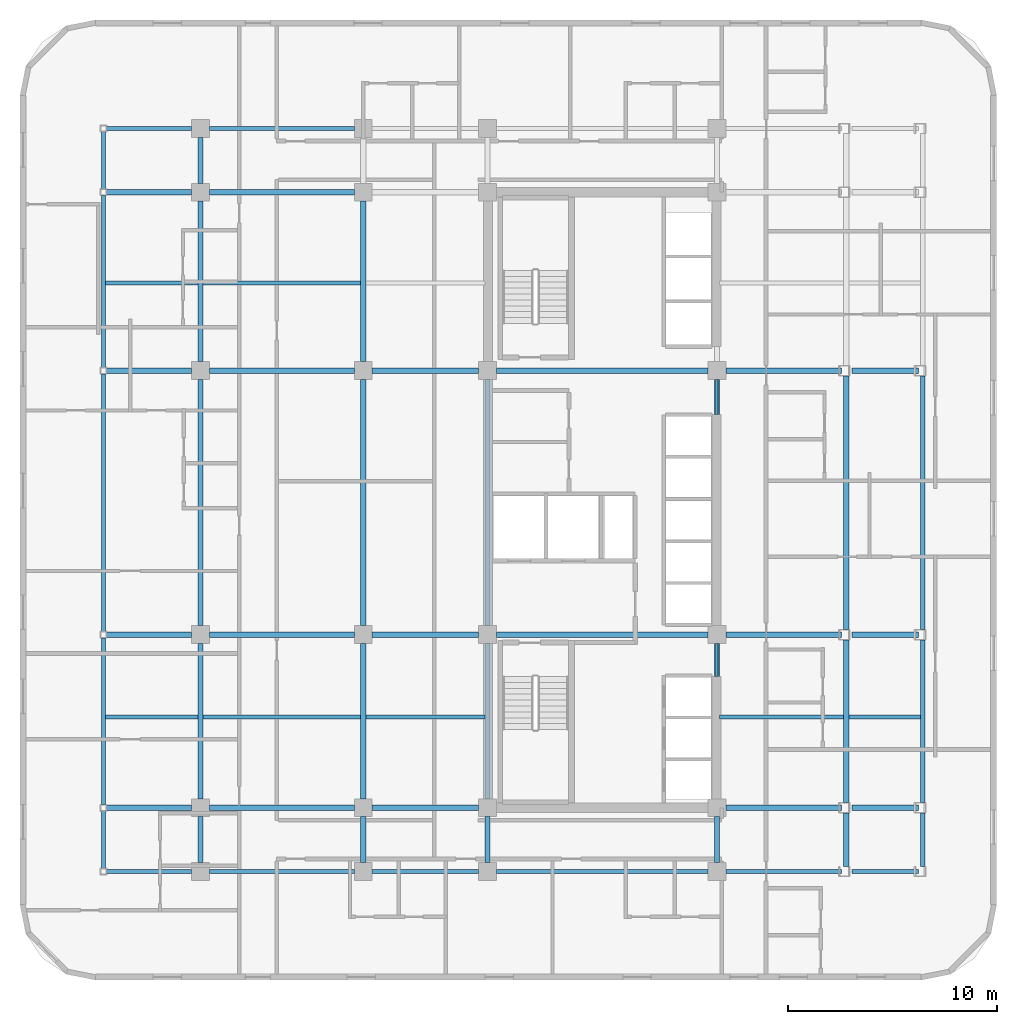
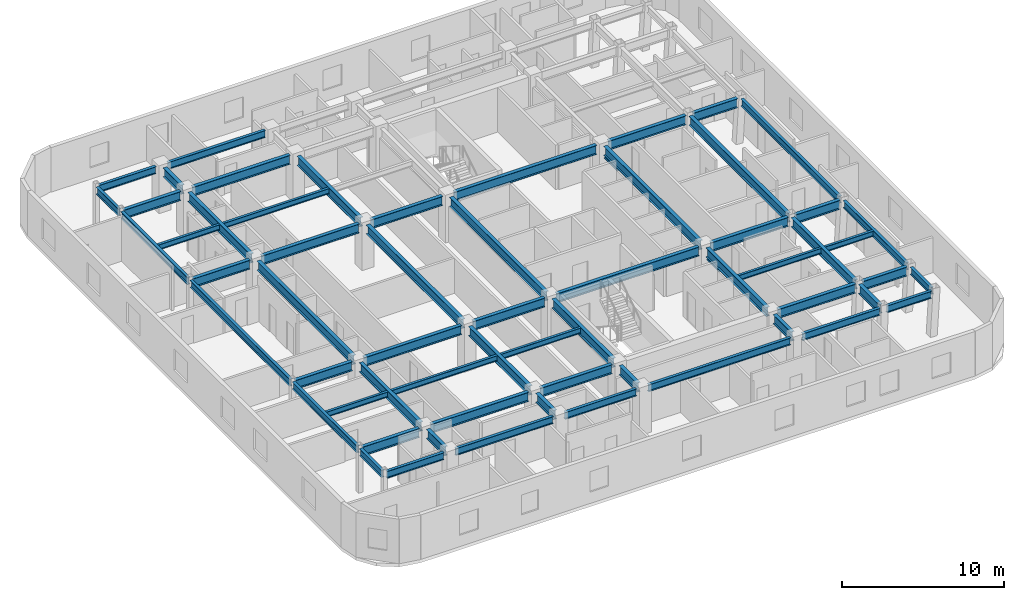
# One storey, part 4 of 12: 62 beams.
"""IFC4 building model written with IfcOpenShell, lengths in metres."""

from ifc_helpers import new_model, si_unit, direction, frame, origin, origin_2d, place, context, subcontext, project, spatial, i_section, extrude, material, material_profile, profile_set, type_object, element, save


model = new_model("IFC4")

# Units and contexts
model_context = context("Model", 3, precision=1e-05, world=origin(), true_north=direction((0.0, 1.0)))
body_context = subcontext(model_context, "Body", "Model", "MODEL_VIEW")
ifc_project = project(units=[si_unit("LENGTHUNIT", "METRE"), si_unit("AREAUNIT", "SQUARE_METRE"), si_unit("VOLUMEUNIT", "CUBIC_METRE"), si_unit("PLANEANGLEUNIT", "RADIAN"), si_unit("MASSUNIT", "GRAM", prefix="KILO")], contexts=[model_context])

# Site, building, storey
site_placement = place(None, origin())
site = spatial("IfcSite", under=ifc_project, at=site_placement, CompositionType="ELEMENT")
building_placement = place(site_placement, origin())
building = spatial("IfcBuilding", under=site, at=building_placement, Name="Ochreholt Gables", CompositionType="ELEMENT")
storey_placement = place(building_placement, frame((0.0, 0.0, 38.39990234375)))
storey = spatial("IfcBuildingStorey", under=building, at=storey_placement, Name="L09", CompositionType="ELEMENT", Elevation=38.39990234375)

# Beams
ifc_material = material(Name="Steel CSA G40.21 350W", Category="steel")
ifc_material_profile_1 = material_profile(ifc_material, i_section(OverallWidth=0.256103515625, OverallDepth=0.693115234375, WebThickness=0.014404296875, FlangeThickness=0.023681640625, at=origin_2d()), Name="W690X170")
ifc_profile_set_1 = profile_set([ifc_material_profile_1], Name="Steel CSA G40.21 350W")
beam_type_1 = type_object("IfcBeamType", Name="BM-G-W690", PredefinedType="BEAM", material=ifc_profile_set_1)
beam_1_placement = place(storey_placement, frame((5.9521484375, 9.25, 3.013671875), z_axis=(1.0, 0.0, 0.0), x_axis=(0.0, 1.0, 0.0)))
element("IfcBeam", 1, at=beam_1_placement, inside=storey, type_object=beam_type_1, Name="L09 Beam TBG-L09-WTW2-Y2", PredefinedType="BEAM", context=body_context, shape_type="SweptSolid", body=[
    extrude(i_section(OverallWidth=0.256103515625, OverallDepth=0.693115234375, WebThickness=0.014404296875, FlangeThickness=0.023681640625, at=origin_2d()), origin(), (0.0, 0.0, 1.0), 4.0732421875),
])
beam_2_placement = place(storey_placement, frame((10.87451171875, 9.25, 3.013671875), z_axis=(1.0, 0.0, 0.0), x_axis=(0.0, 1.0, 0.0)))
element("IfcBeam", 2, at=beam_2_placement, inside=storey, type_object=beam_type_1, Name="L09 Beam TBG-L09-W2W3-Y2", PredefinedType="BEAM", context=body_context, shape_type="SweptSolid", body=[
    extrude(i_section(OverallWidth=0.256103515625, OverallDepth=0.693115234375, WebThickness=0.014404296875, FlangeThickness=0.023681640625, at=origin_2d()), origin(), (0.0, 0.0, 1.0), 6.950927734375),
])
beam_3_placement = place(storey_placement, frame((18.674560546875, 9.25, 3.013671875), z_axis=(1.0, 0.0, 0.0), x_axis=(0.0, 1.0, 0.0)))
element("IfcBeam", 3, at=beam_3_placement, inside=storey, type_object=beam_type_1, Name="L09 Beam TBG-L09-W3C1-Y2", PredefinedType="BEAM", context=body_context, shape_type="SweptSolid", body=[
    extrude(i_section(OverallWidth=0.256103515625, OverallDepth=0.693115234375, WebThickness=0.014404296875, FlangeThickness=0.023681640625, at=origin_2d()), origin(), (0.0, 0.0, 1.0), 5.100830078125),
])
beam_4_placement = place(storey_placement, frame((35.62451171875, 9.25, 3.013671875), z_axis=(1.0, 0.0, 0.0), x_axis=(0.0, 1.0, 0.0)))
element("IfcBeam", 4, at=beam_4_placement, inside=storey, type_object=beam_type_1, Name="L09 Beam TBG-L09-C2EM-Y2", PredefinedType="BEAM", context=body_context, shape_type="SweptSolid", body=[
    extrude(i_section(OverallWidth=0.256103515625, OverallDepth=0.693115234375, WebThickness=0.014404296875, FlangeThickness=0.023681640625, at=origin_2d()), origin(), (0.0, 0.0, 1.0), 5.531982421875),
])
beam_5_placement = place(storey_placement, frame((41.655517578125, 9.25, 3.013671875), z_axis=(1.0, 0.0, 0.0), x_axis=(0.0, 1.0, 0.0)))
element("IfcBeam", 5, at=beam_5_placement, inside=storey, type_object=beam_type_1, Name="L09 Beam TBG-L09-EMEE-Y2", PredefinedType="BEAM", context=body_context, shape_type="SweptSolid", body=[
    extrude(i_section(OverallWidth=0.256103515625, OverallDepth=0.693115234375, WebThickness=0.014404296875, FlangeThickness=0.023681640625, at=origin_2d()), origin(), (0.0, 0.0, 1.0), 3.187744140625),
])
beam_6_placement = place(storey_placement, frame((5.9521484375, 17.550048828125, 3.013671875), z_axis=(1.0, 0.0, 0.0), x_axis=(0.0, 1.0, 0.0)))
element("IfcBeam", 6, at=beam_6_placement, inside=storey, type_object=beam_type_1, Name="L09 Beam TBG-L09-WTW2-Y3", PredefinedType="BEAM", context=body_context, shape_type="SweptSolid", body=[
    extrude(i_section(OverallWidth=0.256103515625, OverallDepth=0.693115234375, WebThickness=0.014404296875, FlangeThickness=0.023681640625, at=origin_2d()), origin(), (0.0, 0.0, 1.0), 4.0732421875),
])
beam_7_placement = place(storey_placement, frame((10.87451171875, 17.550048828125, 3.013671875), z_axis=(1.0, 0.0, 0.0), x_axis=(0.0, 1.0, 0.0)))
element("IfcBeam", 7, at=beam_7_placement, inside=storey, type_object=beam_type_1, Name="L09 Beam TBG-L09-W2W3-Y3", PredefinedType="BEAM", context=body_context, shape_type="SweptSolid", body=[
    extrude(i_section(OverallWidth=0.256103515625, OverallDepth=0.693115234375, WebThickness=0.014404296875, FlangeThickness=0.023681640625, at=origin_2d()), origin(), (0.0, 0.0, 1.0), 6.950927734375),
])
beam_8_placement = place(storey_placement, frame((18.674560546875, 17.550048828125, 3.013671875), z_axis=(1.0, 0.0, 0.0), x_axis=(0.0, 1.0, 0.0)))
element("IfcBeam", 8, at=beam_8_placement, inside=storey, type_object=beam_type_1, Name="L09 Beam TBG-L09-W3C1-Y3", PredefinedType="BEAM", context=body_context, shape_type="SweptSolid", body=[
    extrude(i_section(OverallWidth=0.256103515625, OverallDepth=0.693115234375, WebThickness=0.014404296875, FlangeThickness=0.023681640625, at=origin_2d()), origin(), (0.0, 0.0, 1.0), 5.100830078125),
])
beam_9_placement = place(storey_placement, frame((24.62451171875, 17.550048828125, 3.013671875), z_axis=(1.0, 0.0, 0.0), x_axis=(0.0, 1.0, 0.0)))
element("IfcBeam", 9, at=beam_9_placement, inside=storey, type_object=beam_type_1, Name="L09 Beam TBG-L09-C1C2-Y3", PredefinedType="BEAM", context=body_context, shape_type="SweptSolid", body=[
    extrude(i_section(OverallWidth=0.256103515625, OverallDepth=0.693115234375, WebThickness=0.014404296875, FlangeThickness=0.023681640625, at=origin_2d()), origin(), (0.0, 0.0, 1.0), 10.15087890625),
])
beam_10_placement = place(storey_placement, frame((35.62451171875, 17.550048828125, 3.013671875), z_axis=(1.0, 0.0, 0.0), x_axis=(0.0, 1.0, 0.0)))
element("IfcBeam", 10, at=beam_10_placement, inside=storey, type_object=beam_type_1, Name="L09 Beam TBG-L09-C2EM-Y3", PredefinedType="BEAM", context=body_context, shape_type="SweptSolid", body=[
    extrude(i_section(OverallWidth=0.256103515625, OverallDepth=0.693115234375, WebThickness=0.014404296875, FlangeThickness=0.023681640625, at=origin_2d()), origin(), (0.0, 0.0, 1.0), 5.531982421875),
])
beam_11_placement = place(storey_placement, frame((41.655517578125, 17.550048828125, 3.013671875), z_axis=(1.0, 0.0, 0.0), x_axis=(0.0, 1.0, 0.0)))
element("IfcBeam", 11, at=beam_11_placement, inside=storey, type_object=beam_type_1, Name="L09 Beam TBG-L09-EMEE-Y3", PredefinedType="BEAM", context=body_context, shape_type="SweptSolid", body=[
    extrude(i_section(OverallWidth=0.256103515625, OverallDepth=0.693115234375, WebThickness=0.014404296875, FlangeThickness=0.023681640625, at=origin_2d()), origin(), (0.0, 0.0, 1.0), 3.187744140625),
])
beam_12_placement = place(storey_placement, frame((5.9521484375, 30.199951171875, 3.013671875), z_axis=(1.0, 0.0, 0.0), x_axis=(0.0, 1.0, 0.0)))
element("IfcBeam", 12, at=beam_12_placement, inside=storey, type_object=beam_type_1, Name="L09 Beam TBG-L09-WTW2-Y4", PredefinedType="BEAM", context=body_context, shape_type="SweptSolid", body=[
    extrude(i_section(OverallWidth=0.256103515625, OverallDepth=0.693115234375, WebThickness=0.014404296875, FlangeThickness=0.023681640625, at=origin_2d()), origin(), (0.0, 0.0, 1.0), 4.0732421875),
])
beam_13_placement = place(storey_placement, frame((10.87451171875, 30.199951171875, 3.013671875), z_axis=(1.0, 0.0, 0.0), x_axis=(0.0, 1.0, 0.0)))
element("IfcBeam", 13, at=beam_13_placement, inside=storey, type_object=beam_type_1, Name="L09 Beam TBG-L09-W2W3-Y4", PredefinedType="BEAM", context=body_context, shape_type="SweptSolid", body=[
    extrude(i_section(OverallWidth=0.256103515625, OverallDepth=0.693115234375, WebThickness=0.014404296875, FlangeThickness=0.023681640625, at=origin_2d()), origin(), (0.0, 0.0, 1.0), 6.950927734375),
])
beam_14_placement = place(storey_placement, frame((18.674560546875, 30.199951171875, 3.013671875), z_axis=(1.0, 0.0, 0.0), x_axis=(0.0, 1.0, 0.0)))
element("IfcBeam", 14, at=beam_14_placement, inside=storey, type_object=beam_type_1, Name="L09 Beam TBG-L09-W3C1-Y4", PredefinedType="BEAM", context=body_context, shape_type="SweptSolid", body=[
    extrude(i_section(OverallWidth=0.256103515625, OverallDepth=0.693115234375, WebThickness=0.014404296875, FlangeThickness=0.023681640625, at=origin_2d()), origin(), (0.0, 0.0, 1.0), 5.100830078125),
])
beam_15_placement = place(storey_placement, frame((24.62451171875, 30.199951171875, 3.013671875), z_axis=(1.0, 0.0, 0.0), x_axis=(0.0, 1.0, 0.0)))
element("IfcBeam", 15, at=beam_15_placement, inside=storey, type_object=beam_type_1, Name="L09 Beam TBG-L09-C1C2-Y4", PredefinedType="BEAM", context=body_context, shape_type="SweptSolid", body=[
    extrude(i_section(OverallWidth=0.256103515625, OverallDepth=0.693115234375, WebThickness=0.014404296875, FlangeThickness=0.023681640625, at=origin_2d()), origin(), (0.0, 0.0, 1.0), 10.15087890625),
])
beam_16_placement = place(storey_placement, frame((35.62451171875, 30.199951171875, 3.013671875), z_axis=(1.0, 0.0, 0.0), x_axis=(0.0, 1.0, 0.0)))
element("IfcBeam", 16, at=beam_16_placement, inside=storey, type_object=beam_type_1, Name="L09 Beam TBG-L09-C2EM-Y4", PredefinedType="BEAM", context=body_context, shape_type="SweptSolid", body=[
    extrude(i_section(OverallWidth=0.256103515625, OverallDepth=0.693115234375, WebThickness=0.014404296875, FlangeThickness=0.023681640625, at=origin_2d()), origin(), (0.0, 0.0, 1.0), 5.531982421875),
])
beam_17_placement = place(storey_placement, frame((41.655517578125, 30.199951171875, 3.013671875), z_axis=(1.0, 0.0, 0.0), x_axis=(0.0, 1.0, 0.0)))
element("IfcBeam", 17, at=beam_17_placement, inside=storey, type_object=beam_type_1, Name="L09 Beam TBG-L09-EMEE-Y4", PredefinedType="BEAM", context=body_context, shape_type="SweptSolid", body=[
    extrude(i_section(OverallWidth=0.256103515625, OverallDepth=0.693115234375, WebThickness=0.014404296875, FlangeThickness=0.023681640625, at=origin_2d()), origin(), (0.0, 0.0, 1.0), 3.187744140625),
])
beam_18_placement = place(storey_placement, frame((5.9521484375, 38.75, 3.013671875), z_axis=(1.0, 0.0, 0.0), x_axis=(0.0, 1.0, 0.0)))
element("IfcBeam", 18, at=beam_18_placement, inside=storey, type_object=beam_type_1, Name="L09 Beam TBG-L09-WTW2-Y5", PredefinedType="BEAM", context=body_context, shape_type="SweptSolid", body=[
    extrude(i_section(OverallWidth=0.256103515625, OverallDepth=0.693115234375, WebThickness=0.014404296875, FlangeThickness=0.023681640625, at=origin_2d()), origin(), (0.0, 0.0, 1.0), 4.0732421875),
])
beam_19_placement = place(storey_placement, frame((10.87451171875, 38.75, 3.013671875), z_axis=(1.0, 0.0, 0.0), x_axis=(0.0, 1.0, 0.0)))
element("IfcBeam", 19, at=beam_19_placement, inside=storey, type_object=beam_type_1, Name="L09 Beam TBG-L09-W2W3-Y5", PredefinedType="BEAM", context=body_context, shape_type="SweptSolid", body=[
    extrude(i_section(OverallWidth=0.256103515625, OverallDepth=0.693115234375, WebThickness=0.014404296875, FlangeThickness=0.023681640625, at=origin_2d()), origin(), (0.0, 0.0, 1.0), 6.950927734375),
])
beam_20_placement = place(storey_placement, frame((10.449951171875, 6.62451171875, 3.013671875), z_axis=(0.0, 1.0, 0.0), x_axis=(-1.0, 0.0, 0.0)))
element("IfcBeam", 20, at=beam_20_placement, inside=storey, type_object=beam_type_1, Name="L09 Beam TBN-L09-W2-Y1Y2", PredefinedType="BEAM", context=body_context, shape_type="SweptSolid", body=[
    extrude(i_section(OverallWidth=0.256103515625, OverallDepth=0.693115234375, WebThickness=0.014404296875, FlangeThickness=0.023681640625, at=origin_2d()), origin(), (0.0, 0.0, 1.0), 2.200927734375),
])
beam_21_placement = place(storey_placement, frame((10.449951171875, 9.674560546875, 3.013671875), z_axis=(0.0, 1.0, 0.0), x_axis=(-1.0, 0.0, 0.0)))
element("IfcBeam", 21, at=beam_21_placement, inside=storey, type_object=beam_type_1, Name="L09 Beam TBN-L09-W2-Y2Y3", PredefinedType="BEAM", context=body_context, shape_type="SweptSolid", body=[
    extrude(i_section(OverallWidth=0.256103515625, OverallDepth=0.693115234375, WebThickness=0.014404296875, FlangeThickness=0.023681640625, at=origin_2d()), origin(), (0.0, 0.0, 1.0), 7.450927734375),
])
beam_22_placement = place(storey_placement, frame((10.449951171875, 17.974609375, 3.013671875), z_axis=(0.0, 1.0, 0.0), x_axis=(-1.0, 0.0, 0.0)))
element("IfcBeam", 22, at=beam_22_placement, inside=storey, type_object=beam_type_1, Name="L09 Beam TBN-L09-W2-Y3Y4", PredefinedType="BEAM", context=body_context, shape_type="SweptSolid", body=[
    extrude(i_section(OverallWidth=0.256103515625, OverallDepth=0.693115234375, WebThickness=0.014404296875, FlangeThickness=0.023681640625, at=origin_2d()), origin(), (0.0, 0.0, 1.0), 11.80078125),
])
beam_23_placement = place(storey_placement, frame((10.449951171875, 30.62451171875, 3.013671875), z_axis=(0.0, 1.0, 0.0), x_axis=(-1.0, 0.0, 0.0)))
element("IfcBeam", 23, at=beam_23_placement, inside=storey, type_object=beam_type_1, Name="L09 Beam TBN-L09-W2-Y4Y5", PredefinedType="BEAM", context=body_context, shape_type="SweptSolid", body=[
    extrude(i_section(OverallWidth=0.256103515625, OverallDepth=0.693115234375, WebThickness=0.014404296875, FlangeThickness=0.023681640625, at=origin_2d()), origin(), (0.0, 0.0, 1.0), 7.700927734375),
])
for number, where, z_axis, x_axis, name in (
    (24, (10.449951171875, 39.174560546875, 3.013671875), (0.0, 1.0, 0.0), (-1.0, 0.0, 0.0), "L09 Beam TBN-L09-W2-Y5Y6"),
    (25, (18.25, 6.62451171875, 3.013671875), (0.0, 1.0, 0.0), (-1.0, 0.0, 0.0), "L09 Beam TBN-L09-W3-Y1Y2"),
):
    element("IfcBeam", number, at=place(storey_placement, frame(where, z_axis=z_axis, x_axis=x_axis)), inside=storey, type_object=beam_type_1, Name=name, PredefinedType="BEAM", context=body_context, shape_type="SweptSolid", body=[
        extrude(i_section(OverallWidth=0.256103515625, OverallDepth=0.693115234375, WebThickness=0.014404296875, FlangeThickness=0.023681640625, at=origin_2d()), origin(), (0.0, 0.0, 1.0), 2.200927734375),
    ])
beam_24_placement = place(storey_placement, frame((18.25, 9.674560546875, 3.013671875), z_axis=(0.0, 1.0, 0.0), x_axis=(-1.0, 0.0, 0.0)))
element("IfcBeam", 26, at=beam_24_placement, inside=storey, type_object=beam_type_1, Name="L09 Beam TBN-L09-W3-Y2Y3", PredefinedType="BEAM", context=body_context, shape_type="SweptSolid", body=[
    extrude(i_section(OverallWidth=0.256103515625, OverallDepth=0.693115234375, WebThickness=0.014404296875, FlangeThickness=0.023681640625, at=origin_2d()), origin(), (0.0, 0.0, 1.0), 7.450927734375),
])
beam_25_placement = place(storey_placement, frame((18.25, 17.974609375, 3.013671875), z_axis=(0.0, 1.0, 0.0), x_axis=(-1.0, 0.0, 0.0)))
element("IfcBeam", 27, at=beam_25_placement, inside=storey, type_object=beam_type_1, Name="L09 Beam TBN-L09-W3-Y3Y4", PredefinedType="BEAM", context=body_context, shape_type="SweptSolid", body=[
    extrude(i_section(OverallWidth=0.256103515625, OverallDepth=0.693115234375, WebThickness=0.014404296875, FlangeThickness=0.023681640625, at=origin_2d()), origin(), (0.0, 0.0, 1.0), 11.80078125),
])
beam_26_placement = place(storey_placement, frame((18.25, 30.62451171875, 3.013671875), z_axis=(0.0, 1.0, 0.0), x_axis=(-1.0, 0.0, 0.0)))
element("IfcBeam", 28, at=beam_26_placement, inside=storey, type_object=beam_type_1, Name="L09 Beam TBN-L09-W3-Y4Y5", PredefinedType="BEAM", context=body_context, shape_type="SweptSolid", body=[
    extrude(i_section(OverallWidth=0.256103515625, OverallDepth=0.693115234375, WebThickness=0.014404296875, FlangeThickness=0.023681640625, at=origin_2d()), origin(), (0.0, 0.0, 1.0), 7.700927734375),
])
beam_27_placement = place(storey_placement, frame((24.199951171875, 6.62451171875, 3.013671875), z_axis=(0.0, 1.0, 0.0), x_axis=(-1.0, 0.0, 0.0)))
element("IfcBeam", 29, at=beam_27_placement, inside=storey, type_object=beam_type_1, Name="L09 Beam TBN-L09-C1-Y1Y2", PredefinedType="BEAM", context=body_context, shape_type="SweptSolid", body=[
    extrude(i_section(OverallWidth=0.256103515625, OverallDepth=0.693115234375, WebThickness=0.014404296875, FlangeThickness=0.023681640625, at=origin_2d()), origin(), (0.0, 0.0, 1.0), 2.200927734375),
])
beam_28_placement = place(storey_placement, frame((24.199951171875, 9.674560546875, 3.013671875), z_axis=(0.0, 1.0, 0.0), x_axis=(-1.0, 0.0, 0.0)))
element("IfcBeam", 30, at=beam_28_placement, inside=storey, type_object=beam_type_1, Name="L09 Beam TBN-L09-C1-Y2Y3", PredefinedType="BEAM", context=body_context, shape_type="SweptSolid", body=[
    extrude(i_section(OverallWidth=0.256103515625, OverallDepth=0.693115234375, WebThickness=0.014404296875, FlangeThickness=0.023681640625, at=origin_2d()), origin(), (0.0, 0.0, 1.0), 7.450927734375),
])
beam_29_placement = place(storey_placement, frame((24.199951171875, 17.974609375, 3.013671875), z_axis=(0.0, 1.0, 0.0), x_axis=(-1.0, 0.0, 0.0)))
element("IfcBeam", 31, at=beam_29_placement, inside=storey, type_object=beam_type_1, Name="L09 Beam TBN-L09-C1-Y3Y4", PredefinedType="BEAM", context=body_context, shape_type="SweptSolid", body=[
    extrude(i_section(OverallWidth=0.256103515625, OverallDepth=0.693115234375, WebThickness=0.014404296875, FlangeThickness=0.023681640625, at=origin_2d()), origin(), (0.0, 0.0, 1.0), 11.80078125),
])
beam_30_placement = place(storey_placement, frame((35.199951171875, 6.62451171875, 3.013671875), z_axis=(0.0, 1.0, 0.0), x_axis=(-1.0, 0.0, 0.0)))
element("IfcBeam", 32, at=beam_30_placement, inside=storey, type_object=beam_type_1, Name="L09 Beam TBN-L09-C2-Y1Y2", PredefinedType="BEAM", context=body_context, shape_type="SweptSolid", body=[
    extrude(i_section(OverallWidth=0.256103515625, OverallDepth=0.693115234375, WebThickness=0.014404296875, FlangeThickness=0.023681640625, at=origin_2d()), origin(), (0.0, 0.0, 1.0), 2.200927734375),
])
beam_31_placement = place(storey_placement, frame((35.199951171875, 9.674560546875, 3.013671875), z_axis=(0.0, 1.0, 0.0), x_axis=(-1.0, 0.0, 0.0)))
element("IfcBeam", 33, at=beam_31_placement, inside=storey, type_object=beam_type_1, Name="L09 Beam TBN-L09-C2-Y2Y3", PredefinedType="BEAM", context=body_context, shape_type="SweptSolid", body=[
    extrude(i_section(OverallWidth=0.256103515625, OverallDepth=0.693115234375, WebThickness=0.014404296875, FlangeThickness=0.023681640625, at=origin_2d()), origin(), (0.0, 0.0, 1.0), 7.450927734375),
])
beam_32_placement = place(storey_placement, frame((35.199951171875, 17.974609375, 3.013671875), z_axis=(0.0, 1.0, 0.0), x_axis=(-1.0, 0.0, 0.0)))
element("IfcBeam", 34, at=beam_32_placement, inside=storey, type_object=beam_type_1, Name="L09 Beam TBN-L09-C2-Y3Y4", PredefinedType="BEAM", context=body_context, shape_type="SweptSolid", body=[
    extrude(i_section(OverallWidth=0.256103515625, OverallDepth=0.693115234375, WebThickness=0.014404296875, FlangeThickness=0.023681640625, at=origin_2d()), origin(), (0.0, 0.0, 1.0), 11.80078125),
])
beam_33_placement = place(storey_placement, frame((41.388916015625, 6.44970703125, 3.013671875), z_axis=(0.0, 1.0, 0.0), x_axis=(-1.0, 0.0, 0.0)))
element("IfcBeam", 35, at=beam_33_placement, inside=storey, type_object=beam_type_1, Name="L09 Beam TBN-L09-EM-Y1Y2", PredefinedType="BEAM", context=body_context, shape_type="SweptSolid", body=[
    extrude(i_section(OverallWidth=0.256103515625, OverallDepth=0.693115234375, WebThickness=0.014404296875, FlangeThickness=0.023681640625, at=origin_2d()), origin(), (0.0, 0.0, 1.0), 2.55078125),
])
beam_34_placement = place(storey_placement, frame((41.388916015625, 9.49951171875, 3.013671875), z_axis=(0.0, 1.0, 0.0), x_axis=(-1.0, 0.0, 0.0)))
element("IfcBeam", 36, at=beam_34_placement, inside=storey, type_object=beam_type_1, Name="L09 Beam TBN-L09-EM-Y2Y3", PredefinedType="BEAM", context=body_context, shape_type="SweptSolid", body=[
    extrude(i_section(OverallWidth=0.256103515625, OverallDepth=0.693115234375, WebThickness=0.014404296875, FlangeThickness=0.023681640625, at=origin_2d()), origin(), (0.0, 0.0, 1.0), 7.80078125),
])
beam_35_placement = place(storey_placement, frame((41.388916015625, 17.799560546875, 3.013671875), z_axis=(0.0, 1.0, 0.0), x_axis=(-1.0, 0.0, 0.0)))
element("IfcBeam", 37, at=beam_35_placement, inside=storey, type_object=beam_type_1, Name="L09 Beam TBN-L09-EM-Y3Y4", PredefinedType="BEAM", context=body_context, shape_type="SweptSolid", body=[
    extrude(i_section(OverallWidth=0.256103515625, OverallDepth=0.693115234375, WebThickness=0.014404296875, FlangeThickness=0.023681640625, at=origin_2d()), origin(), (0.0, 0.0, 1.0), 12.15087890625),
])
ifc_material_profile_2 = material_profile(ifc_material, i_section(OverallWidth=0.178955078125, OverallDepth=0.409912109375, WebThickness=0.0087890625, FlangeThickness=0.014404296875, at=origin_2d()), Name="W410X67")
ifc_profile_set_2 = profile_set([ifc_material_profile_2], Name="Steel CSA G40.21 350W")
beam_type_2 = type_object("IfcBeamType", Name="BM-J-W410", PredefinedType="JOIST", material=ifc_profile_set_2)
beam_36_placement = place(storey_placement, frame((5.904052734375, 13.60009765625, 3.155029296875), z_axis=(1.0, 0.0, 0.0), x_axis=(0.0, 1.0, 0.0)))
element("IfcBeam", 38, at=beam_36_placement, inside=storey, type_object=beam_type_2, Name="L09 Beam TBJ-L09-J1-WTW2", PredefinedType="JOIST", context=body_context, shape_type="SweptSolid", body=[
    extrude(i_section(OverallWidth=0.178955078125, OverallDepth=0.409912109375, WebThickness=0.0087890625, FlangeThickness=0.014404296875, at=origin_2d()), origin(), (0.0, 0.0, 1.0), 4.41845703125),
])
beam_37_placement = place(storey_placement, frame((10.57763671875, 13.60009765625, 3.155029296875), z_axis=(1.0, 0.0, 0.0), x_axis=(0.0, 1.0, 0.0)))
element("IfcBeam", 39, at=beam_37_placement, inside=storey, type_object=beam_type_2, Name="L09 Beam TBJ-L09-J1-W2W3", PredefinedType="JOIST", context=body_context, shape_type="SweptSolid", body=[
    extrude(i_section(OverallWidth=0.178955078125, OverallDepth=0.409912109375, WebThickness=0.0087890625, FlangeThickness=0.014404296875, at=origin_2d()), origin(), (0.0, 0.0, 1.0), 7.544677734375),
])
beam_38_placement = place(storey_placement, frame((18.377685546875, 13.60009765625, 3.155029296875), z_axis=(1.0, 0.0, 0.0), x_axis=(0.0, 1.0, 0.0)))
element("IfcBeam", 40, at=beam_38_placement, inside=storey, type_object=beam_type_2, Name="L09 Beam TBJ-L09-J1-W3C1", PredefinedType="JOIST", context=body_context, shape_type="SweptSolid", body=[
    extrude(i_section(OverallWidth=0.178955078125, OverallDepth=0.409912109375, WebThickness=0.0087890625, FlangeThickness=0.014404296875, at=origin_2d()), origin(), (0.0, 0.0, 1.0), 5.69482421875),
])
beam_39_placement = place(storey_placement, frame((35.32763671875, 13.60009765625, 3.155029296875), z_axis=(1.0, 0.0, 0.0), x_axis=(0.0, 1.0, 0.0)))
element("IfcBeam", 41, at=beam_39_placement, inside=storey, type_object=beam_type_2, Name="L09 Beam TBJ-L09-J1-C2EM", PredefinedType="JOIST", context=body_context, shape_type="SweptSolid", body=[
    extrude(i_section(OverallWidth=0.178955078125, OverallDepth=0.409912109375, WebThickness=0.0087890625, FlangeThickness=0.014404296875, at=origin_2d()), origin(), (0.0, 0.0, 1.0), 5.93359375),
])
beam_40_placement = place(storey_placement, frame((41.516357421875, 13.60009765625, 3.155029296875), z_axis=(1.0, 0.0, 0.0), x_axis=(0.0, 1.0, 0.0)))
element("IfcBeam", 42, at=beam_40_placement, inside=storey, type_object=beam_type_2, Name="L09 Beam TBJ-L09-J1-EMEE", PredefinedType="JOIST", context=body_context, shape_type="SweptSolid", body=[
    extrude(i_section(OverallWidth=0.178955078125, OverallDepth=0.409912109375, WebThickness=0.0087890625, FlangeThickness=0.014404296875, at=origin_2d()), origin(), (0.0, 0.0, 1.0), 3.44384765625),
])
beam_41_placement = place(storey_placement, frame((5.904052734375, 34.39990234375, 3.155029296875), z_axis=(1.0, 0.0, 0.0), x_axis=(0.0, 1.0, 0.0)))
element("IfcBeam", 43, at=beam_41_placement, inside=storey, type_object=beam_type_2, Name="L09 Beam TBJ-L09-J2-WTW2", PredefinedType="JOIST", context=body_context, shape_type="SweptSolid", body=[
    extrude(i_section(OverallWidth=0.178955078125, OverallDepth=0.409912109375, WebThickness=0.0087890625, FlangeThickness=0.014404296875, at=origin_2d()), origin(), (0.0, 0.0, 1.0), 4.41845703125),
])
beam_42_placement = place(storey_placement, frame((10.57763671875, 34.39990234375, 3.155029296875), z_axis=(1.0, 0.0, 0.0), x_axis=(0.0, 1.0, 0.0)))
element("IfcBeam", 44, at=beam_42_placement, inside=storey, type_object=beam_type_2, Name="L09 Beam TBJ-L09-J2-W2W3", PredefinedType="JOIST", context=body_context, shape_type="SweptSolid", body=[
    extrude(i_section(OverallWidth=0.178955078125, OverallDepth=0.409912109375, WebThickness=0.0087890625, FlangeThickness=0.014404296875, at=origin_2d()), origin(), (0.0, 0.0, 1.0), 7.544677734375),
])
ifc_material_profile_3 = material_profile(ifc_material, i_section(OverallWidth=0.1650390625, OverallDepth=0.200927734375, WebThickness=0.006103515625, FlangeThickness=0.01025390625, at=origin_2d()), Name="W200X36")
ifc_profile_set_3 = profile_set([ifc_material_profile_3], Name="Steel CSA G40.21 350W")
beam_type_3 = type_object("IfcBeamType", Name="BM-LIN-W200", PredefinedType="LINTEL", material=ifc_profile_set_3)
beam_43_placement = place(storey_placement, frame((35.175048828125, 15.550048828125, 2.566650390625), z_axis=(0.0, 1.0, 0.0), x_axis=(-1.0, 0.0, 0.0)))
element("IfcBeam", 45, at=beam_43_placement, inside=storey, type_object=beam_type_3, Name="L09 Core Coupling Lintel CPS", PredefinedType="LINTEL", context=body_context, shape_type="SweptSolid", body=[
    extrude(i_section(OverallWidth=0.1650390625, OverallDepth=0.200927734375, WebThickness=0.006103515625, FlangeThickness=0.01025390625, at=origin_2d()), origin(), (0.0, 0.0, 1.0), 1.574951171875),
])
beam_44_placement = place(storey_placement, frame((35.175048828125, 28.10009765625, 2.566650390625), z_axis=(0.0, 1.0, 0.0), x_axis=(-1.0, 0.0, 0.0)))
element("IfcBeam", 46, at=beam_44_placement, inside=storey, type_object=beam_type_3, Name="L09 Core Coupling Lintel CPN", PredefinedType="LINTEL", context=body_context, shape_type="SweptSolid", body=[
    extrude(i_section(OverallWidth=0.1650390625, OverallDepth=0.200927734375, WebThickness=0.006103515625, FlangeThickness=0.01025390625, at=origin_2d()), origin(), (0.0, 0.0, 1.0), 1.6748046875),
])
ifc_material_profile_4 = material_profile(ifc_material, i_section(OverallWidth=0.208984375, OverallDepth=0.532958984375, WebThickness=0.01025390625, FlangeThickness=0.015625, at=origin_2d()), Name="W530X92")
ifc_profile_set_4 = profile_set([ifc_material_profile_4], Name="Steel CSA G40.21 350W")
beam_type_4 = type_object("IfcBeamType", Name="BM-SP-W530B", PredefinedType="SPANDREL", material=ifc_profile_set_4)
beam_45_placement = place(storey_placement, frame((5.9521484375, 6.199951171875, 3.093505859375), z_axis=(1.0, 0.0, 0.0), x_axis=(0.0, 1.0, 0.0)))
element("IfcBeam", 47, at=beam_45_placement, inside=storey, type_object=beam_type_4, Name="L09 Beam TBG-L09-WTW2-Y1", PredefinedType="SPANDREL", context=body_context, shape_type="SweptSolid", body=[
    extrude(i_section(OverallWidth=0.208984375, OverallDepth=0.532958984375, WebThickness=0.01025390625, FlangeThickness=0.015625, at=origin_2d()), origin(), (0.0, 0.0, 1.0), 4.0732421875),
])
beam_46_placement = place(storey_placement, frame((10.87451171875, 6.199951171875, 3.093505859375), z_axis=(1.0, 0.0, 0.0), x_axis=(0.0, 1.0, 0.0)))
element("IfcBeam", 48, at=beam_46_placement, inside=storey, type_object=beam_type_4, Name="L09 Beam TBG-L09-W2W3-Y1", PredefinedType="SPANDREL", context=body_context, shape_type="SweptSolid", body=[
    extrude(i_section(OverallWidth=0.208984375, OverallDepth=0.532958984375, WebThickness=0.01025390625, FlangeThickness=0.015625, at=origin_2d()), origin(), (0.0, 0.0, 1.0), 6.950927734375),
])
beam_47_placement = place(storey_placement, frame((18.674560546875, 6.199951171875, 3.093505859375), z_axis=(1.0, 0.0, 0.0), x_axis=(0.0, 1.0, 0.0)))
element("IfcBeam", 49, at=beam_47_placement, inside=storey, type_object=beam_type_4, Name="L09 Beam TBG-L09-W3C1-Y1", PredefinedType="SPANDREL", context=body_context, shape_type="SweptSolid", body=[
    extrude(i_section(OverallWidth=0.208984375, OverallDepth=0.532958984375, WebThickness=0.01025390625, FlangeThickness=0.015625, at=origin_2d()), origin(), (0.0, 0.0, 1.0), 5.100830078125),
])
beam_48_placement = place(storey_placement, frame((24.62451171875, 6.199951171875, 3.093505859375), z_axis=(1.0, 0.0, 0.0), x_axis=(0.0, 1.0, 0.0)))
element("IfcBeam", 50, at=beam_48_placement, inside=storey, type_object=beam_type_4, Name="L09 Beam TBG-L09-C1C2-Y1", PredefinedType="SPANDREL", context=body_context, shape_type="SweptSolid", body=[
    extrude(i_section(OverallWidth=0.208984375, OverallDepth=0.532958984375, WebThickness=0.01025390625, FlangeThickness=0.015625, at=origin_2d()), origin(), (0.0, 0.0, 1.0), 10.15087890625),
])
beam_49_placement = place(storey_placement, frame((35.62451171875, 6.199951171875, 3.093505859375), z_axis=(1.0, 0.0, 0.0), x_axis=(0.0, 1.0, 0.0)))
element("IfcBeam", 51, at=beam_49_placement, inside=storey, type_object=beam_type_4, Name="L09 Beam TBG-L09-C2EM-Y1", PredefinedType="SPANDREL", context=body_context, shape_type="SweptSolid", body=[
    extrude(i_section(OverallWidth=0.208984375, OverallDepth=0.532958984375, WebThickness=0.01025390625, FlangeThickness=0.015625, at=origin_2d()), origin(), (0.0, 0.0, 1.0), 5.531982421875),
])
beam_50_placement = place(storey_placement, frame((41.655517578125, 6.199951171875, 3.093505859375), z_axis=(1.0, 0.0, 0.0), x_axis=(0.0, 1.0, 0.0)))
element("IfcBeam", 52, at=beam_50_placement, inside=storey, type_object=beam_type_4, Name="L09 Beam TBG-L09-EMEE-Y1", PredefinedType="SPANDREL", context=body_context, shape_type="SweptSolid", body=[
    extrude(i_section(OverallWidth=0.208984375, OverallDepth=0.532958984375, WebThickness=0.01025390625, FlangeThickness=0.015625, at=origin_2d()), origin(), (0.0, 0.0, 1.0), 3.187744140625),
])
beam_51_placement = place(storey_placement, frame((5.9521484375, 41.800048828125, 3.093505859375), z_axis=(1.0, 0.0, 0.0), x_axis=(0.0, 1.0, 0.0)))
element("IfcBeam", 53, at=beam_51_placement, inside=storey, type_object=beam_type_4, Name="L09 Beam TBG-L09-WTW2-Y6", PredefinedType="SPANDREL", context=body_context, shape_type="SweptSolid", body=[
    extrude(i_section(OverallWidth=0.208984375, OverallDepth=0.532958984375, WebThickness=0.01025390625, FlangeThickness=0.015625, at=origin_2d()), origin(), (0.0, 0.0, 1.0), 4.0732421875),
])
beam_52_placement = place(storey_placement, frame((10.87451171875, 41.800048828125, 3.093505859375), z_axis=(1.0, 0.0, 0.0), x_axis=(0.0, 1.0, 0.0)))
element("IfcBeam", 54, at=beam_52_placement, inside=storey, type_object=beam_type_4, Name="L09 Beam TBG-L09-W2W3-Y6", PredefinedType="SPANDREL", context=body_context, shape_type="SweptSolid", body=[
    extrude(i_section(OverallWidth=0.208984375, OverallDepth=0.532958984375, WebThickness=0.01025390625, FlangeThickness=0.015625, at=origin_2d()), origin(), (0.0, 0.0, 1.0), 6.950927734375),
])
beam_53_placement = place(storey_placement, frame((5.800048828125, 6.35205078125, 3.093505859375), z_axis=(0.0, 1.0, 0.0), x_axis=(-1.0, 0.0, 0.0)))
element("IfcBeam", 55, at=beam_53_placement, inside=storey, type_object=beam_type_4, Name="L09 Beam TBN-L09-WT-Y1Y2", PredefinedType="SPANDREL", context=body_context, shape_type="SweptSolid", body=[
    extrude(i_section(OverallWidth=0.208984375, OverallDepth=0.532958984375, WebThickness=0.01025390625, FlangeThickness=0.015625, at=origin_2d()), origin(), (0.0, 0.0, 1.0), 2.745849609375),
])
beam_54_placement = place(storey_placement, frame((5.800048828125, 9.402099609375, 3.093505859375), z_axis=(0.0, 1.0, 0.0), x_axis=(-1.0, 0.0, 0.0)))
element("IfcBeam", 56, at=beam_54_placement, inside=storey, type_object=beam_type_4, Name="L09 Beam TBN-L09-WT-Y2Y3", PredefinedType="SPANDREL", context=body_context, shape_type="SweptSolid", body=[
    extrude(i_section(OverallWidth=0.208984375, OverallDepth=0.532958984375, WebThickness=0.01025390625, FlangeThickness=0.015625, at=origin_2d()), origin(), (0.0, 0.0, 1.0), 7.995849609375),
])
beam_55_placement = place(storey_placement, frame((5.800048828125, 17.7021484375, 3.093505859375), z_axis=(0.0, 1.0, 0.0), x_axis=(-1.0, 0.0, 0.0)))
element("IfcBeam", 57, at=beam_55_placement, inside=storey, type_object=beam_type_4, Name="L09 Beam TBN-L09-WT-Y3Y4", PredefinedType="SPANDREL", context=body_context, shape_type="SweptSolid", body=[
    extrude(i_section(OverallWidth=0.208984375, OverallDepth=0.532958984375, WebThickness=0.01025390625, FlangeThickness=0.015625, at=origin_2d()), origin(), (0.0, 0.0, 1.0), 12.345703125),
])
beam_56_placement = place(storey_placement, frame((5.800048828125, 30.35205078125, 3.093505859375), z_axis=(0.0, 1.0, 0.0), x_axis=(-1.0, 0.0, 0.0)))
element("IfcBeam", 58, at=beam_56_placement, inside=storey, type_object=beam_type_4, Name="L09 Beam TBN-L09-WT-Y4Y5", PredefinedType="SPANDREL", context=body_context, shape_type="SweptSolid", body=[
    extrude(i_section(OverallWidth=0.208984375, OverallDepth=0.532958984375, WebThickness=0.01025390625, FlangeThickness=0.015625, at=origin_2d()), origin(), (0.0, 0.0, 1.0), 8.245849609375),
])
beam_57_placement = place(storey_placement, frame((5.800048828125, 38.902099609375, 3.093505859375), z_axis=(0.0, 1.0, 0.0), x_axis=(-1.0, 0.0, 0.0)))
element("IfcBeam", 59, at=beam_57_placement, inside=storey, type_object=beam_type_4, Name="L09 Beam TBN-L09-WT-Y5Y6", PredefinedType="SPANDREL", context=body_context, shape_type="SweptSolid", body=[
    extrude(i_section(OverallWidth=0.208984375, OverallDepth=0.532958984375, WebThickness=0.01025390625, FlangeThickness=0.015625, at=origin_2d()), origin(), (0.0, 0.0, 1.0), 2.745849609375),
])
beam_58_placement = place(storey_placement, frame((45.064453125, 6.44970703125, 3.093505859375), z_axis=(0.0, 1.0, 0.0), x_axis=(-1.0, 0.0, 0.0)))
element("IfcBeam", 60, at=beam_58_placement, inside=storey, type_object=beam_type_4, Name="L09 Beam TBN-L09-EE-Y1Y2", PredefinedType="SPANDREL", context=body_context, shape_type="SweptSolid", body=[
    extrude(i_section(OverallWidth=0.208984375, OverallDepth=0.532958984375, WebThickness=0.01025390625, FlangeThickness=0.015625, at=origin_2d()), origin(), (0.0, 0.0, 1.0), 2.55078125),
])
beam_59_placement = place(storey_placement, frame((45.064453125, 9.49951171875, 3.093505859375), z_axis=(0.0, 1.0, 0.0), x_axis=(-1.0, 0.0, 0.0)))
element("IfcBeam", 61, at=beam_59_placement, inside=storey, type_object=beam_type_4, Name="L09 Beam TBN-L09-EE-Y2Y3", PredefinedType="SPANDREL", context=body_context, shape_type="SweptSolid", body=[
    extrude(i_section(OverallWidth=0.208984375, OverallDepth=0.532958984375, WebThickness=0.01025390625, FlangeThickness=0.015625, at=origin_2d()), origin(), (0.0, 0.0, 1.0), 7.80078125),
])
beam_60_placement = place(storey_placement, frame((45.064453125, 17.799560546875, 3.093505859375), z_axis=(0.0, 1.0, 0.0), x_axis=(-1.0, 0.0, 0.0)))
element("IfcBeam", 62, at=beam_60_placement, inside=storey, type_object=beam_type_4, Name="L09 Beam TBN-L09-EE-Y3Y4", PredefinedType="SPANDREL", context=body_context, shape_type="SweptSolid", body=[
    extrude(i_section(OverallWidth=0.208984375, OverallDepth=0.532958984375, WebThickness=0.01025390625, FlangeThickness=0.015625, at=origin_2d()), origin(), (0.0, 0.0, 1.0), 12.15087890625),
])

save(model, "model.ifc")
